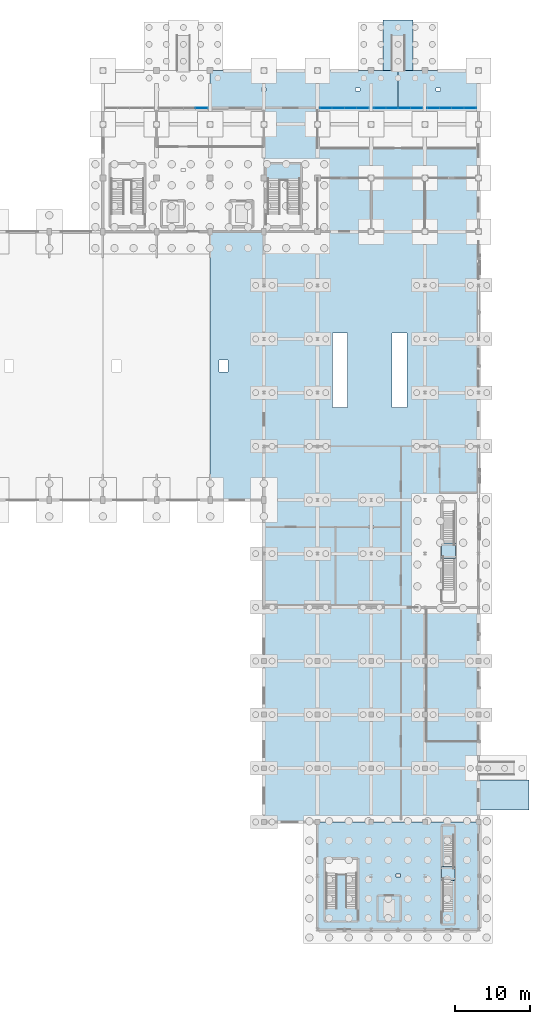
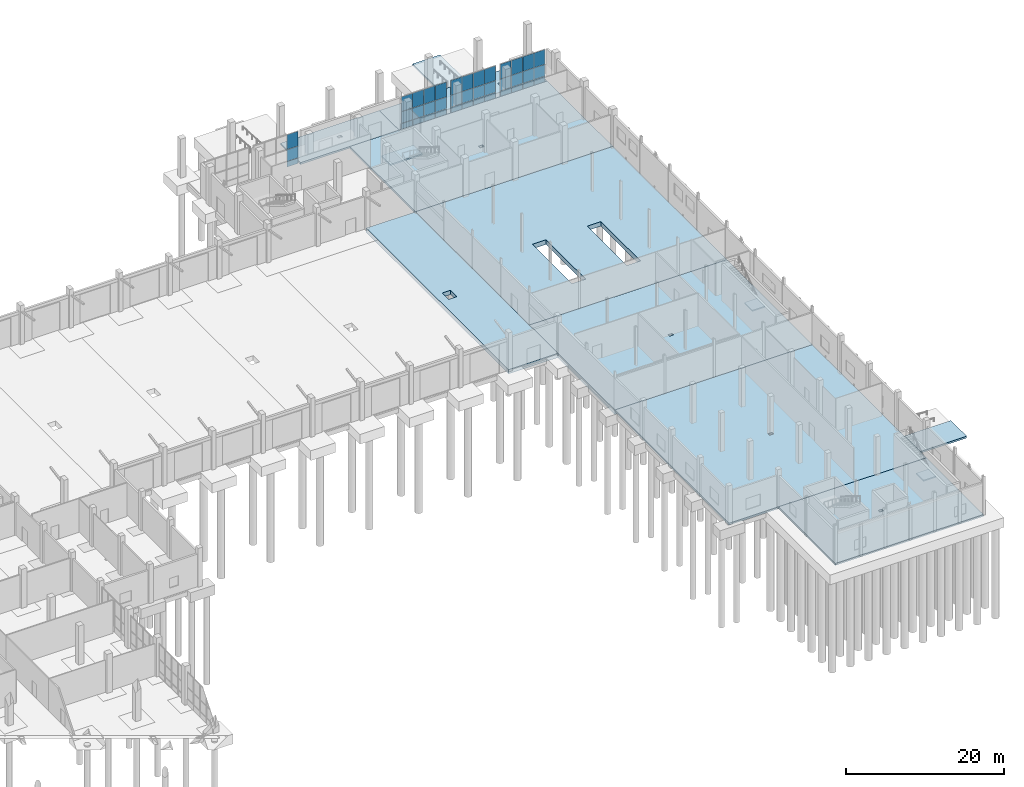
# One storey, part 25 of 45: 39 plates, 14 slabs, 7 elements without a shape of their own.
"""IFC4 building model written with IfcOpenShell, lengths in metres."""

import ifcopenshell
import ifcopenshell.guid

model = None  # the IFC model being written
_history = None  # IfcOwnerHistory: only IFC2X3 demands one
_inside = {}  # id of a spatial element -> (the spatial element, [elements in it])
_under = {}  # id of a project, library or spatial element -> (it, [spatial elements below it])
_declared = {}  # id of a project -> (the project, [libraries it declares])
_typed = {}  # id of a type object -> (the type object, [elements of that type])
_made_of = {}  # id of a material, layer set ... -> (it, [elements and type objects made of it])


def new_model(schema):
    """Start an empty IFC model of exactly this schema.

    Asked for "IFC4X3", IfcOpenShell would pick the latest addendum, in which some entities
    have other attributes; the version numbers below select the first issue.
    IFC2X3 requires an IfcOwnerHistory on every rooted entity: one is made here for all.
    """
    global model, _history
    if schema == "IFC4X3":
        model = ifcopenshell.file(schema_version=(4, 3, 0, 0))
    else:
        model = ifcopenshell.file(schema=schema)
    _inside.clear()
    _under.clear()
    _declared.clear()
    _typed.clear()
    _made_of.clear()
    _history = None
    if model.schema == "IFC2X3":
        org = make("IfcOrganization", Name="unknown")
        user = make(
            "IfcPersonAndOrganization",
            ThePerson=make("IfcPerson", FamilyName="unknown"),
            TheOrganization=org,
        )
        app = make(
            "IfcApplication",
            ApplicationDeveloper=org,
            Version="unknown",
            ApplicationFullName="unknown",
            ApplicationIdentifier="unknown",
        )
        _history = make(
            "IfcOwnerHistory",
            OwningUser=user,
            OwningApplication=app,
            ChangeAction="ADDED",
            CreationDate=0,
        )
    return model


def make(cls, **values):
    """One entity of the class cls with the attributes given. An attribute that is None is left unset."""
    return model.create_entity(
        cls, **{name: value for name, value in values.items() if value is not None}
    )


def rooted(cls, **values):
    """An entity with a GlobalId (a new one), such as an element, a storey or a relation."""
    return make(cls, GlobalId=ifcopenshell.guid.new(), OwnerHistory=_history, **values)


def si_unit(unit_type, name, prefix=None):
    """IfcSIUnit, for example si_unit("LENGTHUNIT", "METRE", prefix="MILLI")."""
    return make("IfcSIUnit", UnitType=unit_type, Prefix=prefix, Name=name)


def assignment(units):
    """IfcUnitAssignment: the units of a project."""
    return None if units is None else make("IfcUnitAssignment", Units=units)


def point(xyz):
    """IfcCartesianPoint."""
    return None if xyz is None else make("IfcCartesianPoint", Coordinates=xyz)


def direction(xyz):
    """IfcDirection."""
    return None if xyz is None else make("IfcDirection", DirectionRatios=xyz)


def frame(location, z_axis=None, x_axis=None):
    """IfcAxis2Placement3D, a coordinate frame: its origin and axes. An axis left out is left unset."""
    return make(
        "IfcAxis2Placement3D",
        Location=point(location),
        Axis=direction(z_axis),
        RefDirection=direction(x_axis),
    )


def frame_2d(location, x_axis=None):
    """IfcAxis2Placement2D, a coordinate frame in the plane: its origin and x axis."""
    return make(
        "IfcAxis2Placement2D", Location=point(location), RefDirection=direction(x_axis)
    )


def origin():
    """The frame at (0, 0, 0) with its axes left unset."""
    return frame((0.0, 0.0, 0.0))


def origin_2d():
    """The frame at (0, 0) in the plane with its x axis left unset."""
    return frame_2d((0.0, 0.0))


def place(relative_to, where):
    """IfcLocalPlacement: puts the frame where relative to a parent placement (None: the world)."""
    return make(
        "IfcLocalPlacement", PlacementRelTo=relative_to, RelativePlacement=where
    )


def context(
    kind, dimensions, precision=None, world=None, true_north=None, identifier=None
):
    """IfcGeometricRepresentationContext, for example the 3D "Model" context."""
    return make(
        "IfcGeometricRepresentationContext",
        ContextIdentifier=identifier,
        ContextType=kind,
        CoordinateSpaceDimension=dimensions,
        Precision=precision,
        WorldCoordinateSystem=world,
        TrueNorth=true_north,
    )


def subcontext(parent, identifier, kind, view, scale=None):
    """IfcGeometricRepresentationSubContext, for example "Body" below "Model"."""
    return make(
        "IfcGeometricRepresentationSubContext",
        ContextIdentifier=identifier,
        ContextType=kind,
        ParentContext=parent,
        TargetScale=scale,
        TargetView=view,
    )


def project(units=None, contexts=None):
    """IfcProject with its units and contexts."""
    return rooted(
        "IfcProject",
        Name="project",
        RepresentationContexts=contexts,
        UnitsInContext=assignment(units),
    )


def spatial(cls, under=None, at=None, **own):
    """A site, building, storey or space (cls), placed at a placement, below another one or the project."""
    s = rooted(cls, ObjectPlacement=at, **own)
    if under is not None:
        _under.setdefault(under.id(), (under, []))[1].append(s)
    return s


def polyline(points):
    """IfcPolyline through the points."""
    return make("IfcPolyline", Points=[point(p) for p in points])


def profile(cls, at=None, kind="AREA", **sizes):
    """A parametric profile (cls). Its sizes go by their IFC names, for example OverallWidth=200.0."""
    return make(cls, ProfileType=kind, Position=at, **sizes)


def rectangle(**sizes):
    """IfcRectangleProfileDef."""
    return profile("IfcRectangleProfileDef", **sizes)


def outline(outer, holes=None, kind="AREA"):
    """IfcArbitraryClosedProfileDef: a profile drawn as a closed curve; with holes, ...WithVoids."""
    if holes is None:
        return make("IfcArbitraryClosedProfileDef", ProfileType=kind, OuterCurve=outer)
    return make(
        "IfcArbitraryProfileDefWithVoids",
        ProfileType=kind,
        OuterCurve=outer,
        InnerCurves=holes,
    )


def extrude(swept, where, along, depth):
    """IfcExtrudedAreaSolid: the profile swept, set in the frame where, extruded along a direction by depth."""
    return make(
        "IfcExtrudedAreaSolid",
        SweptArea=swept,
        Position=where,
        ExtrudedDirection=direction(along),
        Depth=depth,
    )


def shape(context_of_items, identifier, shape_type, items):
    """IfcShapeRepresentation: the items that make up one representation, for example the "Body"."""
    return make(
        "IfcShapeRepresentation",
        ContextOfItems=context_of_items,
        RepresentationIdentifier=identifier,
        RepresentationType=shape_type,
        Items=items,
    )


def material(Name=None, Category=None):
    """IfcMaterial."""
    return make("IfcMaterial", Name=Name, Category=Category)


def layer(
    of_material, thickness, ventilated=None, Name=None, Category=None, Priority=None
):
    """IfcMaterialLayer: one layer of a wall or slab, of a material (None: an air gap)."""
    return make(
        "IfcMaterialLayer",
        Material=of_material,
        LayerThickness=thickness,
        IsVentilated=ventilated,
        Name=Name,
        Category=Category,
        Priority=Priority,
    )


def layer_set(layers, Name=None):
    """IfcMaterialLayerSet."""
    return make("IfcMaterialLayerSet", MaterialLayers=layers, LayerSetName=Name)


def made_of(thing, what):
    """Note that an element or type object is made of a material, layer set ...; save() writes the relation."""
    if what is not None:
        _made_of.setdefault(what.id(), (what, []))[1].append(thing)
    return thing


def type_object(cls, material=None, **own):
    """A type object (cls), such as IfcWallType, which elements share."""
    return made_of(rooted(cls, **own), material)


def element(
    cls,
    number,
    at=None,
    inside=None,
    cuts=None,
    type_object=None,
    material=None,
    context=None,
    identifier="Body",
    shape_type=None,
    held_by="IfcProductDefinitionShape",
    body=None,
    shapes=None,
    **own,
):
    """One element of the class cls, such as IfcWall. Its Tag is "e" and its number.

    at: its placement. inside: the storey or other place that contains it. cuts: it is an
    opening in that element (IfcRelVoidsElement). A single representation is given by context,
    identifier, shape_type and body (its items); several are given by shapes. held_by: the class
    of the entity that holds the representations. save() writes the other relations.
    """
    e = rooted(cls, Tag="e%d" % number, ObjectPlacement=at, **own)
    if body is not None:
        shapes = [shape(context, identifier, shape_type, body)]
    if shapes is not None:
        e.Representation = make(held_by, Representations=shapes)
    if inside is not None:
        _inside.setdefault(inside.id(), (inside, []))[1].append(e)
    if cuts is not None:
        rooted(
            "IfcRelVoidsElement", RelatingBuildingElement=cuts, RelatedOpeningElement=e
        )
    if type_object is not None:
        _typed.setdefault(type_object.id(), (type_object, []))[1].append(e)
    return made_of(e, material)


def aggregate(whole, parts):
    """IfcRelAggregates: a whole, such as a stair, and the parts it consists of."""
    return rooted("IfcRelAggregates", RelatingObject=whole, RelatedObjects=parts)


def save(model, path):
    """Write the relations noted so far, then the file.

    IfcRelAggregates (storeys below a building ...), IfcRelContainedInSpatialStructure (elements
    in a storey), IfcRelDefinesByType, IfcRelAssociatesMaterial and IfcRelDeclares: one each for
    every whole, place, type object, material and project.
    """
    for whole, parts in _under.values():
        aggregate(whole, parts)
    for where, things in _inside.values():
        rooted(
            "IfcRelContainedInSpatialStructure",
            RelatedElements=things,
            RelatingStructure=where,
        )
    for kind, things in _typed.values():
        rooted("IfcRelDefinesByType", RelatedObjects=things, RelatingType=kind)
    for what, things in _made_of.values():
        rooted("IfcRelAssociatesMaterial", RelatedObjects=things, RelatingMaterial=what)
    for by, libraries in _declared.values():
        rooted("IfcRelDeclares", RelatingContext=by, RelatedDefinitions=libraries)
    model.write(path)


model = new_model("IFC4")

# Units and contexts
model_context = context("Model", 3, precision=1e-05, world=origin(), true_north=direction((0.0, 1.0)))
body_context = subcontext(model_context, "Body", "Model", "MODEL_VIEW")
ifc_project = project(units=[si_unit("LENGTHUNIT", "METRE"), si_unit("AREAUNIT", "SQUARE_METRE"), si_unit("VOLUMEUNIT", "CUBIC_METRE"), si_unit("PLANEANGLEUNIT", "RADIAN"), si_unit("MASSUNIT", "GRAM", prefix="KILO")], contexts=[model_context])

# Site, building, storey
site_placement = place(None, origin())
site = spatial("IfcSite", under=ifc_project, at=site_placement, CompositionType="ELEMENT")
building_placement = place(site_placement, origin())
building = spatial("IfcBuilding", under=site, at=building_placement, Name="Yarey Park Central Fire Station", CompositionType="ELEMENT")
storey_placement = place(building_placement, origin())
storey = spatial("IfcBuildingStorey", under=building, at=storey_placement, Name="L01", CompositionType="ELEMENT", Elevation=0.0)

# Curtain wall, plate
ifc_material_1 = material(Name="Anodized Aluminium Frame", Category="aluminium")
curtain_wall_type = type_object("IfcCurtainWallType", Name="ENV_CW_HQ_L01", PredefinedType="NOTDEFINED", material=ifc_material_1)
curtain_wall_1_placement = place(storey_placement, origin())
curtain_wall_1 = element("IfcCurtainWall", 1, at=curtain_wall_1_placement, inside=storey, type_object=curtain_wall_type, Name="CW_L01_V4_N_2", PredefinedType="NOTDEFINED")
ifc_material_2 = material(Name="Insulated Aluminium Spandrel Panel", Category="aluminium")
ifc_layer_1 = layer(ifc_material_2, 0.055908203125)
ifc_layer_set_1 = layer_set([ifc_layer_1], Name="Insulated Aluminium Spandrel Panel")
plate_type_1 = type_object("IfcPlateType", Name="ENV_PNL_SPN_01", PredefinedType="CURTAIN_PANEL", material=ifc_layer_set_1)
plate_1_placement = place(storey_placement, frame((128.467529296875, 110.199951171875, 0.04248046875), z_axis=(0.0, 0.0, 1.0), x_axis=(-1.0, 0.0, 0.0)))
plate_1 = element("IfcPlate", 2, at=plate_1_placement, type_object=plate_type_1, Name="CW_L01_V4_N_2_PNL01", PredefinedType="CURTAIN_PANEL", context=body_context, shape_type="SweptSolid", body=[
    extrude(rectangle(XDim=1.60498046875, YDim=0.055908203125, at=origin_2d()), origin(), (0.0, 0.0, 1.0), 0.840087890625),
])

# Curtain wall, plates
curtain_wall_2_placement = place(storey_placement, origin())
curtain_wall_2 = element("IfcCurtainWall", 3, at=curtain_wall_2_placement, inside=storey, type_object=curtain_wall_type, Name="CW_L01_V4_N_5", PredefinedType="NOTDEFINED")
ifc_layer_2 = layer(ifc_material_2, 0.068115234375)
ifc_layer_set_2 = layer_set([ifc_layer_2], Name="Insulated Aluminium Spandrel Panel")
plate_type_2 = type_object("IfcPlateType", Name="ENV_PNL_SPN_02", PredefinedType="CURTAIN_PANEL", material=ifc_layer_set_2)
plate_2_placement = place(storey_placement, frame((150.0673828125, 110.199951171875, 0.04248046875), z_axis=(0.0, 0.0, 1.0), x_axis=(-1.0, 0.0, 0.0)))
plate_2 = element("IfcPlate", 4, at=plate_2_placement, type_object=plate_type_2, Name="CW_L01_V4_N_5_PNL01", PredefinedType="CURTAIN_PANEL", context=body_context, shape_type="SweptSolid", body=[
    extrude(rectangle(XDim=1.60498046875, YDim=0.068115234375, at=origin_2d()), origin(), (0.0, 0.0, 1.0), 0.840087890625),
])
plate_3_placement = place(storey_placement, frame((148.422607421875, 110.199951171875, 0.04248046875), z_axis=(0.0, 0.0, 1.0), x_axis=(-1.0, 0.0, 0.0)))
plate_3 = element("IfcPlate", 5, at=plate_3_placement, type_object=plate_type_2, Name="CW_L01_V4_N_5_PNL04", PredefinedType="CURTAIN_PANEL", context=body_context, shape_type="SweptSolid", body=[
    extrude(rectangle(XDim=1.60498046875, YDim=0.068115234375, at=origin_2d()), origin(), (0.0, 0.0, 1.0), 0.840087890625),
])
plate_4_placement = place(storey_placement, frame((146.777587890625, 110.199951171875, 0.04248046875), z_axis=(0.0, 0.0, 1.0), x_axis=(-1.0, 0.0, 0.0)))
plate_4 = element("IfcPlate", 6, at=plate_4_placement, type_object=plate_type_2, Name="CW_L01_V4_N_5_PNL07", PredefinedType="CURTAIN_PANEL", context=body_context, shape_type="SweptSolid", body=[
    extrude(rectangle(XDim=1.60498046875, YDim=0.068115234375, at=origin_2d()), origin(), (0.0, 0.0, 1.0), 0.840087890625),
])
plate_5_placement = place(storey_placement, frame((145.132568359375, 110.199951171875, 0.04248046875), z_axis=(0.0, 0.0, 1.0), x_axis=(-1.0, 0.0, 0.0)))
plate_5 = element("IfcPlate", 7, at=plate_5_placement, type_object=plate_type_2, Name="CW_L01_V4_N_5_PNL10", PredefinedType="CURTAIN_PANEL", context=body_context, shape_type="SweptSolid", body=[
    extrude(rectangle(XDim=1.60498046875, YDim=0.068115234375, at=origin_2d()), origin(), (0.0, 0.0, 1.0), 0.840087890625),
])

curtain_wall_3_placement = place(storey_placement, origin())
curtain_wall_3 = element("IfcCurtainWall", 8, at=curtain_wall_3_placement, inside=storey, type_object=curtain_wall_type, Name="CW_L01_V4_N_6", PredefinedType="NOTDEFINED")
ifc_layer_3 = layer(ifc_material_2, 0.077880859375)
ifc_layer_set_3 = layer_set([ifc_layer_3], Name="Insulated Aluminium Spandrel Panel")
plate_type_3 = type_object("IfcPlateType", Name="ENV_PNL_SPN_03", PredefinedType="CURTAIN_PANEL", material=ifc_layer_set_3)
plate_6_placement = place(storey_placement, frame((157.267578125, 110.199951171875, 0.04248046875), z_axis=(0.0, 0.0, 1.0), x_axis=(-1.0, 0.0, 0.0)))
plate_6 = element("IfcPlate", 9, at=plate_6_placement, type_object=plate_type_3, Name="CW_L01_V4_N_6_PNL01", PredefinedType="CURTAIN_PANEL", context=body_context, shape_type="SweptSolid", body=[
    extrude(rectangle(XDim=1.60498046875, YDim=0.077880859375, at=origin_2d()), origin(), (0.0, 0.0, 1.0), 0.840087890625),
])
plate_7_placement = place(storey_placement, frame((155.62255859375, 110.199951171875, 0.04248046875), z_axis=(0.0, 0.0, 1.0), x_axis=(-1.0, 0.0, 0.0)))
plate_7 = element("IfcPlate", 10, at=plate_7_placement, type_object=plate_type_3, Name="CW_L01_V4_N_6_PNL04", PredefinedType="CURTAIN_PANEL", context=body_context, shape_type="SweptSolid", body=[
    extrude(rectangle(XDim=1.60498046875, YDim=0.077880859375, at=origin_2d()), origin(), (0.0, 0.0, 1.0), 0.840087890625),
])
plate_8_placement = place(storey_placement, frame((153.9775390625, 110.199951171875, 0.04248046875), z_axis=(0.0, 0.0, 1.0), x_axis=(-1.0, 0.0, 0.0)))
plate_8 = element("IfcPlate", 11, at=plate_8_placement, type_object=plate_type_3, Name="CW_L01_V4_N_6_PNL07", PredefinedType="CURTAIN_PANEL", context=body_context, shape_type="SweptSolid", body=[
    extrude(rectangle(XDim=1.60498046875, YDim=0.077880859375, at=origin_2d()), origin(), (0.0, 0.0, 1.0), 0.840087890625),
])
plate_9_placement = place(storey_placement, frame((152.33251953125, 110.199951171875, 0.04248046875), z_axis=(0.0, 0.0, 1.0), x_axis=(-1.0, 0.0, 0.0)))
plate_9 = element("IfcPlate", 12, at=plate_9_placement, type_object=plate_type_3, Name="CW_L01_V4_N_6_PNL10", PredefinedType="CURTAIN_PANEL", context=body_context, shape_type="SweptSolid", body=[
    extrude(rectangle(XDim=1.60498046875, YDim=0.077880859375, at=origin_2d()), origin(), (0.0, 0.0, 1.0), 0.840087890625),
])

curtain_wall_4_placement = place(storey_placement, origin())
curtain_wall_4 = element("IfcCurtainWall", 13, at=curtain_wall_4_placement, inside=storey, type_object=curtain_wall_type, Name="CW_L01_V4_N_7", PredefinedType="NOTDEFINED")
ifc_layer_4 = layer(ifc_material_2, 0.087890625)
ifc_layer_set_4 = layer_set([ifc_layer_4], Name="Insulated Aluminium Spandrel Panel")
plate_type_4 = type_object("IfcPlateType", Name="ENV_PNL_SPN_04", PredefinedType="CURTAIN_PANEL", material=ifc_layer_set_4)
plate_10_placement = place(storey_placement, frame((164.467529296875, 110.199951171875, 0.04248046875), z_axis=(0.0, 0.0, 1.0), x_axis=(-1.0, 0.0, 0.0)))
plate_10 = element("IfcPlate", 14, at=plate_10_placement, type_object=plate_type_4, Name="CW_L01_V4_N_7_PNL01", PredefinedType="CURTAIN_PANEL", context=body_context, shape_type="SweptSolid", body=[
    extrude(rectangle(XDim=1.60498046875, YDim=0.087890625, at=origin_2d()), origin(), (0.0, 0.0, 1.0), 0.840087890625),
])
plate_11_placement = place(storey_placement, frame((162.822509765625, 110.199951171875, 0.04248046875), z_axis=(0.0, 0.0, 1.0), x_axis=(-1.0, 0.0, 0.0)))
plate_11 = element("IfcPlate", 15, at=plate_11_placement, type_object=plate_type_4, Name="CW_L01_V4_N_7_PNL04", PredefinedType="CURTAIN_PANEL", context=body_context, shape_type="SweptSolid", body=[
    extrude(rectangle(XDim=1.60498046875, YDim=0.087890625, at=origin_2d()), origin(), (0.0, 0.0, 1.0), 0.840087890625),
])
plate_12_placement = place(storey_placement, frame((161.177490234375, 110.199951171875, 0.04248046875), z_axis=(0.0, 0.0, 1.0), x_axis=(-1.0, 0.0, 0.0)))
plate_12 = element("IfcPlate", 16, at=plate_12_placement, type_object=plate_type_4, Name="CW_L01_V4_N_7_PNL07", PredefinedType="CURTAIN_PANEL", context=body_context, shape_type="SweptSolid", body=[
    extrude(rectangle(XDim=1.60498046875, YDim=0.087890625, at=origin_2d()), origin(), (0.0, 0.0, 1.0), 0.840087890625),
])
plate_13_placement = place(storey_placement, frame((159.532470703125, 110.199951171875, 0.04248046875), z_axis=(0.0, 0.0, 1.0), x_axis=(-1.0, 0.0, 0.0)))
plate_13 = element("IfcPlate", 17, at=plate_13_placement, type_object=plate_type_4, Name="CW_L01_V4_N_7_PNL10", PredefinedType="CURTAIN_PANEL", context=body_context, shape_type="SweptSolid", body=[
    extrude(rectangle(XDim=1.60498046875, YDim=0.087890625, at=origin_2d()), origin(), (0.0, 0.0, 1.0), 0.840087890625),
])

# Plate
ifc_material_3 = material(Name="Laminated Hurricane Low-E Glass", Category="glass")
ifc_layer_5 = layer(ifc_material_3, 0.02392578125)
ifc_layer_set_5 = layer_set([ifc_layer_5], Name="Laminated Hurricane Low-E Glass")
plate_type_5 = type_object("IfcPlateType", Name="ENV_PNL_VIS_01", PredefinedType="CURTAIN_PANEL", material=ifc_layer_set_5)
plate_14_placement = place(storey_placement, frame((128.467529296875, 110.199951171875, 0.91748046875), z_axis=(0.0, 0.0, 1.0), x_axis=(-1.0, 0.0, 0.0)))
plate_14 = element("IfcPlate", 18, at=plate_14_placement, type_object=plate_type_5, Name="CW_L01_V4_N_2_PNL02", PredefinedType="CURTAIN_PANEL", context=body_context, shape_type="SweptSolid", body=[
    extrude(rectangle(XDim=1.60498046875, YDim=0.02392578125, at=origin_2d()), origin(), (0.0, 0.0, 1.0), 1.7919921875),
])

plate_15_placement = place(storey_placement, frame((128.467529296875, 110.199951171875, 2.74462890625), z_axis=(0.0, 0.0, 1.0), x_axis=(-1.0, 0.0, 0.0)))
plate_15 = element("IfcPlate", 19, at=plate_15_placement, type_object=plate_type_5, Name="CW_L01_V4_N_2_PNL03", PredefinedType="CURTAIN_PANEL", context=body_context, shape_type="SweptSolid", body=[
    extrude(rectangle(XDim=1.60498046875, YDim=0.02392578125, at=origin_2d()), origin(), (0.0, 0.0, 1.0), 2.262939453125),
])

aggregate(curtain_wall_1, [plate_1, plate_14, plate_15])

ifc_layer_6 = layer(ifc_material_3, 0.031982421875)
ifc_layer_set_6 = layer_set([ifc_layer_6], Name="Laminated Hurricane Low-E Glass")
plate_type_6 = type_object("IfcPlateType", Name="ENV_PNL_VIS_02", PredefinedType="CURTAIN_PANEL", material=ifc_layer_set_6)
plate_16_placement = place(storey_placement, frame((150.0673828125, 110.199951171875, 0.91748046875), z_axis=(0.0, 0.0, 1.0), x_axis=(-1.0, 0.0, 0.0)))
plate_16 = element("IfcPlate", 20, at=plate_16_placement, type_object=plate_type_6, Name="CW_L01_V4_N_5_PNL02", PredefinedType="CURTAIN_PANEL", context=body_context, shape_type="SweptSolid", body=[
    extrude(rectangle(XDim=1.60498046875, YDim=0.031982421875, at=origin_2d()), origin(), (0.0, 0.0, 1.0), 1.7919921875),
])

plate_17_placement = place(storey_placement, frame((150.0673828125, 110.199951171875, 2.74462890625), z_axis=(0.0, 0.0, 1.0), x_axis=(-1.0, 0.0, 0.0)))
plate_17 = element("IfcPlate", 21, at=plate_17_placement, type_object=plate_type_6, Name="CW_L01_V4_N_5_PNL03", PredefinedType="CURTAIN_PANEL", context=body_context, shape_type="SweptSolid", body=[
    extrude(rectangle(XDim=1.60498046875, YDim=0.031982421875, at=origin_2d()), origin(), (0.0, 0.0, 1.0), 2.262939453125),
])

plate_18_placement = place(storey_placement, frame((148.422607421875, 110.199951171875, 0.91748046875), z_axis=(0.0, 0.0, 1.0), x_axis=(-1.0, 0.0, 0.0)))
plate_18 = element("IfcPlate", 22, at=plate_18_placement, type_object=plate_type_6, Name="CW_L01_V4_N_5_PNL05", PredefinedType="CURTAIN_PANEL", context=body_context, shape_type="SweptSolid", body=[
    extrude(rectangle(XDim=1.60498046875, YDim=0.031982421875, at=origin_2d()), origin(), (0.0, 0.0, 1.0), 1.7919921875),
])

plate_19_placement = place(storey_placement, frame((148.422607421875, 110.199951171875, 2.74462890625), z_axis=(0.0, 0.0, 1.0), x_axis=(-1.0, 0.0, 0.0)))
plate_19 = element("IfcPlate", 23, at=plate_19_placement, type_object=plate_type_6, Name="CW_L01_V4_N_5_PNL06", PredefinedType="CURTAIN_PANEL", context=body_context, shape_type="SweptSolid", body=[
    extrude(rectangle(XDim=1.60498046875, YDim=0.031982421875, at=origin_2d()), origin(), (0.0, 0.0, 1.0), 2.262939453125),
])

plate_20_placement = place(storey_placement, frame((146.777587890625, 110.199951171875, 0.91748046875), z_axis=(0.0, 0.0, 1.0), x_axis=(-1.0, 0.0, 0.0)))
plate_20 = element("IfcPlate", 24, at=plate_20_placement, type_object=plate_type_6, Name="CW_L01_V4_N_5_PNL08", PredefinedType="CURTAIN_PANEL", context=body_context, shape_type="SweptSolid", body=[
    extrude(rectangle(XDim=1.60498046875, YDim=0.031982421875, at=origin_2d()), origin(), (0.0, 0.0, 1.0), 1.7919921875),
])

plate_21_placement = place(storey_placement, frame((146.777587890625, 110.199951171875, 2.74462890625), z_axis=(0.0, 0.0, 1.0), x_axis=(-1.0, 0.0, 0.0)))
plate_21 = element("IfcPlate", 25, at=plate_21_placement, type_object=plate_type_6, Name="CW_L01_V4_N_5_PNL09", PredefinedType="CURTAIN_PANEL", context=body_context, shape_type="SweptSolid", body=[
    extrude(rectangle(XDim=1.60498046875, YDim=0.031982421875, at=origin_2d()), origin(), (0.0, 0.0, 1.0), 2.262939453125),
])

plate_22_placement = place(storey_placement, frame((145.132568359375, 110.199951171875, 0.91748046875), z_axis=(0.0, 0.0, 1.0), x_axis=(-1.0, 0.0, 0.0)))
plate_22 = element("IfcPlate", 26, at=plate_22_placement, type_object=plate_type_6, Name="CW_L01_V4_N_5_PNL11", PredefinedType="CURTAIN_PANEL", context=body_context, shape_type="SweptSolid", body=[
    extrude(rectangle(XDim=1.60498046875, YDim=0.031982421875, at=origin_2d()), origin(), (0.0, 0.0, 1.0), 1.7919921875),
])

plate_23_placement = place(storey_placement, frame((145.132568359375, 110.199951171875, 2.74462890625), z_axis=(0.0, 0.0, 1.0), x_axis=(-1.0, 0.0, 0.0)))
plate_23 = element("IfcPlate", 27, at=plate_23_placement, type_object=plate_type_6, Name="CW_L01_V4_N_5_PNL12", PredefinedType="CURTAIN_PANEL", context=body_context, shape_type="SweptSolid", body=[
    extrude(rectangle(XDim=1.60498046875, YDim=0.031982421875, at=origin_2d()), origin(), (0.0, 0.0, 1.0), 2.262939453125),
])

aggregate(curtain_wall_2, [plate_2, plate_16, plate_17, plate_3, plate_18, plate_19, plate_4, plate_20, plate_21, plate_5, plate_22, plate_23])

ifc_layer_7 = layer(ifc_material_3, 0.0380859375)
ifc_layer_set_7 = layer_set([ifc_layer_7], Name="Laminated Hurricane Low-E Glass")
plate_type_7 = type_object("IfcPlateType", Name="ENV_PNL_VIS_03", PredefinedType="CURTAIN_PANEL", material=ifc_layer_set_7)
plate_24_placement = place(storey_placement, frame((157.267578125, 110.199951171875, 0.91748046875), z_axis=(0.0, 0.0, 1.0), x_axis=(-1.0, 0.0, 0.0)))
plate_24 = element("IfcPlate", 28, at=plate_24_placement, type_object=plate_type_7, Name="CW_L01_V4_N_6_PNL02", PredefinedType="CURTAIN_PANEL", context=body_context, shape_type="SweptSolid", body=[
    extrude(rectangle(XDim=1.60498046875, YDim=0.0380859375, at=origin_2d()), origin(), (0.0, 0.0, 1.0), 1.7919921875),
])

plate_25_placement = place(storey_placement, frame((157.267578125, 110.199951171875, 2.74462890625), z_axis=(0.0, 0.0, 1.0), x_axis=(-1.0, 0.0, 0.0)))
plate_25 = element("IfcPlate", 29, at=plate_25_placement, type_object=plate_type_7, Name="CW_L01_V4_N_6_PNL03", PredefinedType="CURTAIN_PANEL", context=body_context, shape_type="SweptSolid", body=[
    extrude(rectangle(XDim=1.60498046875, YDim=0.0380859375, at=origin_2d()), origin(), (0.0, 0.0, 1.0), 2.262939453125),
])

plate_26_placement = place(storey_placement, frame((155.62255859375, 110.199951171875, 0.91748046875), z_axis=(0.0, 0.0, 1.0), x_axis=(-1.0, 0.0, 0.0)))
plate_26 = element("IfcPlate", 30, at=plate_26_placement, type_object=plate_type_7, Name="CW_L01_V4_N_6_PNL05", PredefinedType="CURTAIN_PANEL", context=body_context, shape_type="SweptSolid", body=[
    extrude(rectangle(XDim=1.60498046875, YDim=0.0380859375, at=origin_2d()), origin(), (0.0, 0.0, 1.0), 1.7919921875),
])

plate_27_placement = place(storey_placement, frame((155.62255859375, 110.199951171875, 2.74462890625), z_axis=(0.0, 0.0, 1.0), x_axis=(-1.0, 0.0, 0.0)))
plate_27 = element("IfcPlate", 31, at=plate_27_placement, type_object=plate_type_7, Name="CW_L01_V4_N_6_PNL06", PredefinedType="CURTAIN_PANEL", context=body_context, shape_type="SweptSolid", body=[
    extrude(rectangle(XDim=1.60498046875, YDim=0.0380859375, at=origin_2d()), origin(), (0.0, 0.0, 1.0), 2.262939453125),
])

plate_28_placement = place(storey_placement, frame((153.9775390625, 110.199951171875, 0.91748046875), z_axis=(0.0, 0.0, 1.0), x_axis=(-1.0, 0.0, 0.0)))
plate_28 = element("IfcPlate", 32, at=plate_28_placement, type_object=plate_type_7, Name="CW_L01_V4_N_6_PNL08", PredefinedType="CURTAIN_PANEL", context=body_context, shape_type="SweptSolid", body=[
    extrude(rectangle(XDim=1.60498046875, YDim=0.0380859375, at=origin_2d()), origin(), (0.0, 0.0, 1.0), 1.7919921875),
])

plate_29_placement = place(storey_placement, frame((153.9775390625, 110.199951171875, 2.74462890625), z_axis=(0.0, 0.0, 1.0), x_axis=(-1.0, 0.0, 0.0)))
plate_29 = element("IfcPlate", 33, at=plate_29_placement, type_object=plate_type_7, Name="CW_L01_V4_N_6_PNL09", PredefinedType="CURTAIN_PANEL", context=body_context, shape_type="SweptSolid", body=[
    extrude(rectangle(XDim=1.60498046875, YDim=0.0380859375, at=origin_2d()), origin(), (0.0, 0.0, 1.0), 2.262939453125),
])

plate_30_placement = place(storey_placement, frame((152.33251953125, 110.199951171875, 0.91748046875), z_axis=(0.0, 0.0, 1.0), x_axis=(-1.0, 0.0, 0.0)))
plate_30 = element("IfcPlate", 34, at=plate_30_placement, type_object=plate_type_7, Name="CW_L01_V4_N_6_PNL11", PredefinedType="CURTAIN_PANEL", context=body_context, shape_type="SweptSolid", body=[
    extrude(rectangle(XDim=1.60498046875, YDim=0.0380859375, at=origin_2d()), origin(), (0.0, 0.0, 1.0), 1.7919921875),
])

plate_31_placement = place(storey_placement, frame((152.33251953125, 110.199951171875, 2.74462890625), z_axis=(0.0, 0.0, 1.0), x_axis=(-1.0, 0.0, 0.0)))
plate_31 = element("IfcPlate", 35, at=plate_31_placement, type_object=plate_type_7, Name="CW_L01_V4_N_6_PNL12", PredefinedType="CURTAIN_PANEL", context=body_context, shape_type="SweptSolid", body=[
    extrude(rectangle(XDim=1.60498046875, YDim=0.0380859375, at=origin_2d()), origin(), (0.0, 0.0, 1.0), 2.262939453125),
])

aggregate(curtain_wall_3, [plate_6, plate_24, plate_25, plate_7, plate_26, plate_27, plate_8, plate_28, plate_29, plate_9, plate_30, plate_31])

ifc_layer_8 = layer(ifc_material_3, 0.0458984375)
ifc_layer_set_8 = layer_set([ifc_layer_8], Name="Laminated Hurricane Low-E Glass")
plate_type_8 = type_object("IfcPlateType", Name="ENV_PNL_VIS_04", PredefinedType="CURTAIN_PANEL", material=ifc_layer_set_8)
plate_32_placement = place(storey_placement, frame((164.467529296875, 110.199951171875, 0.91748046875), z_axis=(0.0, 0.0, 1.0), x_axis=(-1.0, 0.0, 0.0)))
plate_32 = element("IfcPlate", 36, at=plate_32_placement, type_object=plate_type_8, Name="CW_L01_V4_N_7_PNL02", PredefinedType="CURTAIN_PANEL", context=body_context, shape_type="SweptSolid", body=[
    extrude(rectangle(XDim=1.60498046875, YDim=0.0458984375, at=origin_2d()), origin(), (0.0, 0.0, 1.0), 1.7919921875),
])

plate_33_placement = place(storey_placement, frame((164.467529296875, 110.199951171875, 2.74462890625), z_axis=(0.0, 0.0, 1.0), x_axis=(-1.0, 0.0, 0.0)))
plate_33 = element("IfcPlate", 37, at=plate_33_placement, type_object=plate_type_8, Name="CW_L01_V4_N_7_PNL03", PredefinedType="CURTAIN_PANEL", context=body_context, shape_type="SweptSolid", body=[
    extrude(rectangle(XDim=1.60498046875, YDim=0.0458984375, at=origin_2d()), origin(), (0.0, 0.0, 1.0), 2.262939453125),
])

plate_34_placement = place(storey_placement, frame((162.822509765625, 110.199951171875, 0.91748046875), z_axis=(0.0, 0.0, 1.0), x_axis=(-1.0, 0.0, 0.0)))
plate_34 = element("IfcPlate", 38, at=plate_34_placement, type_object=plate_type_8, Name="CW_L01_V4_N_7_PNL05", PredefinedType="CURTAIN_PANEL", context=body_context, shape_type="SweptSolid", body=[
    extrude(rectangle(XDim=1.60498046875, YDim=0.0458984375, at=origin_2d()), origin(), (0.0, 0.0, 1.0), 1.7919921875),
])

plate_35_placement = place(storey_placement, frame((162.822509765625, 110.199951171875, 2.74462890625), z_axis=(0.0, 0.0, 1.0), x_axis=(-1.0, 0.0, 0.0)))
plate_35 = element("IfcPlate", 39, at=plate_35_placement, type_object=plate_type_8, Name="CW_L01_V4_N_7_PNL06", PredefinedType="CURTAIN_PANEL", context=body_context, shape_type="SweptSolid", body=[
    extrude(rectangle(XDim=1.60498046875, YDim=0.0458984375, at=origin_2d()), origin(), (0.0, 0.0, 1.0), 2.262939453125),
])

plate_36_placement = place(storey_placement, frame((161.177490234375, 110.199951171875, 0.91748046875), z_axis=(0.0, 0.0, 1.0), x_axis=(-1.0, 0.0, 0.0)))
plate_36 = element("IfcPlate", 40, at=plate_36_placement, type_object=plate_type_8, Name="CW_L01_V4_N_7_PNL08", PredefinedType="CURTAIN_PANEL", context=body_context, shape_type="SweptSolid", body=[
    extrude(rectangle(XDim=1.60498046875, YDim=0.0458984375, at=origin_2d()), origin(), (0.0, 0.0, 1.0), 1.7919921875),
])

plate_37_placement = place(storey_placement, frame((161.177490234375, 110.199951171875, 2.74462890625), z_axis=(0.0, 0.0, 1.0), x_axis=(-1.0, 0.0, 0.0)))
plate_37 = element("IfcPlate", 41, at=plate_37_placement, type_object=plate_type_8, Name="CW_L01_V4_N_7_PNL09", PredefinedType="CURTAIN_PANEL", context=body_context, shape_type="SweptSolid", body=[
    extrude(rectangle(XDim=1.60498046875, YDim=0.0458984375, at=origin_2d()), origin(), (0.0, 0.0, 1.0), 2.262939453125),
])

plate_38_placement = place(storey_placement, frame((159.532470703125, 110.199951171875, 0.91748046875), z_axis=(0.0, 0.0, 1.0), x_axis=(-1.0, 0.0, 0.0)))
plate_38 = element("IfcPlate", 42, at=plate_38_placement, type_object=plate_type_8, Name="CW_L01_V4_N_7_PNL11", PredefinedType="CURTAIN_PANEL", context=body_context, shape_type="SweptSolid", body=[
    extrude(rectangle(XDim=1.60498046875, YDim=0.0458984375, at=origin_2d()), origin(), (0.0, 0.0, 1.0), 1.7919921875),
])

plate_39_placement = place(storey_placement, frame((159.532470703125, 110.199951171875, 2.74462890625), z_axis=(0.0, 0.0, 1.0), x_axis=(-1.0, 0.0, 0.0)))
plate_39 = element("IfcPlate", 43, at=plate_39_placement, type_object=plate_type_8, Name="CW_L01_V4_N_7_PNL12", PredefinedType="CURTAIN_PANEL", context=body_context, shape_type="SweptSolid", body=[
    extrude(rectangle(XDim=1.60498046875, YDim=0.0458984375, at=origin_2d()), origin(), (0.0, 0.0, 1.0), 2.262939453125),
])

aggregate(curtain_wall_4, [plate_10, plate_32, plate_33, plate_11, plate_34, plate_35, plate_12, plate_36, plate_37, plate_13, plate_38, plate_39])

# Stair, slab
ifc_material_4 = material(Name="Concrete C40/50", Category="concrete")
stair_type_1 = type_object("IfcStairType", Name="INT_ST_1RUN_130_H60", PredefinedType="STRAIGHT_RUN_STAIR", material=ifc_material_4)
stair_1_placement = place(storey_placement, origin())
stair_1 = element("IfcStair", 44, at=stair_1_placement, inside=storey, type_object=stair_type_1, Name="Exit Stair ST-6 L01", PredefinedType="STRAIGHT_RUN_STAIR")
ifc_layer_9 = layer(ifc_material_4, 0.18505859375)
ifc_layer_set_9 = layer_set([ifc_layer_9], Name="Concrete C40/50")
slab_type_1 = type_object("IfcSlabType", Name="INT_SLAB_LND185", PredefinedType="LANDING", material=ifc_layer_set_9)
slab_1_placement = place(storey_placement, frame((0.0, 0.0, 2.81494140625)))
slab_1 = element("IfcSlab", 45, at=slab_1_placement, type_object=slab_type_1, Name="STAIR_C6_L01_LND", PredefinedType="LANDING", context=body_context, shape_type="SweptSolid", body=[
    extrude(outline(polyline([(160.64990234375, 6.580078125), (162.449951171875, 6.580078125), (162.449951171875, 8.419921875), (160.64990234375, 8.419921875), (160.64990234375, 6.580078125)])), origin(), (0.0, 0.0, 1.0), 0.18505859375),
])
aggregate(stair_1, [slab_1])

stair_type_2 = type_object("IfcStairType", Name="INT_ST_1RUN_135_H60", PredefinedType="STRAIGHT_RUN_STAIR", material=ifc_material_4)
stair_2_placement = place(storey_placement, origin())
stair_2 = element("IfcStair", 46, at=stair_2_placement, inside=storey, type_object=stair_type_2, Name="Exit Stair ST-7 L01", PredefinedType="STRAIGHT_RUN_STAIR")
slab_2_placement = place(storey_placement, frame((0.0, 0.0, 2.81494140625)))
slab_2 = element("IfcSlab", 47, at=slab_2_placement, type_object=slab_type_1, Name="STAIR_C7_L01_LND", PredefinedType="LANDING", context=body_context, shape_type="SweptSolid", body=[
    extrude(outline(polyline([(160.64990234375, 49.780029296875), (162.5, 49.780029296875), (162.5, 51.820068359375), (160.64990234375, 51.820068359375), (160.64990234375, 49.780029296875)])), origin(), (0.0, 0.0, 1.0), 0.18505859375),
])
aggregate(stair_2, [slab_2])

stair_type_3 = type_object("IfcStairType", Name="INT_ST_2RUN_150_H60", PredefinedType="USERDEFINED", material=ifc_material_4)
stair_3_placement = place(storey_placement, origin())
stair_3 = element("IfcStair", 48, at=stair_3_placement, inside=storey, type_object=stair_type_3, Name="Exit Stair ST-2 L01", ObjectType="TWO_RUN_STAIR", PredefinedType="USERDEFINED")
ifc_layer_10 = layer(ifc_material_4, 0.205078125)
ifc_layer_set_10 = layer_set([ifc_layer_10], Name="Concrete C40/50")
slab_type_2 = type_object("IfcSlabType", Name="INT_SLAB_LND205", PredefinedType="LANDING", material=ifc_layer_set_10)
slab_3_placement = place(storey_placement, frame((0.0, 0.0, 2.794921875)))
slab_3 = element("IfcSlab", 49, at=slab_3_placement, type_object=slab_type_2, Name="STAIR_C2_L01_LND", PredefinedType="LANDING", context=body_context, shape_type="SweptSolid", body=[
    extrude(outline(polyline([(137.10009765625, 100.5), (141.800048828125, 100.5), (141.800048828125, 102.75), (137.10009765625, 102.75), (137.10009765625, 100.5)])), origin(), (0.0, 0.0, 1.0), 0.205078125),
])
aggregate(stair_3, [slab_3])

# Slabs
ifc_material_5 = material(Name="Concrete C35/45", Category="concrete")
ifc_layer_11 = layer(ifc_material_5, 0.27001953125)
ifc_layer_set_11 = layer_set([ifc_layer_11], Name="Concrete C35/45")
slab_type_3 = type_object("IfcSlabType", Name="STR_SLAB_EXT270", PredefinedType="FLOOR", material=ifc_layer_set_11)
slab_4_placement = place(storey_placement, frame((0.0, 0.0, -0.27001953125)))
element("IfcSlab", 50, at=slab_4_placement, inside=storey, type_object=slab_type_3, Name="SLAB_L01_V4_PORTAL_2", PredefinedType="FLOOR", context=body_context, shape_type="SweptSolid", body=[
    extrude(outline(polyline([(129.60009765625, 110.199951171875), (144.0, 110.199951171875), (144.0, 115.199951171875), (129.60009765625, 115.199951171875), (129.60009765625, 110.199951171875)]), holes=[polyline([(136.5, 112.5), (137.10009765625, 112.5), (137.10009765625, 112.89990234375), (136.5, 112.89990234375), (136.5, 112.5)])]), origin(), (0.0, 0.0, 1.0), 0.27001953125),
])
slab_5_placement = place(storey_placement, frame((0.0, 0.0, -0.27001953125)))
element("IfcSlab", 51, at=slab_5_placement, inside=storey, type_object=slab_type_3, Name="SLAB_L01_V4_PORTAL_3", PredefinedType="FLOOR", context=body_context, shape_type="SweptSolid", body=[
    extrude(outline(polyline([(144.0, 110.199951171875), (154.800048828125, 110.199951171875), (154.800048828125, 115.199951171875), (144.0, 115.199951171875), (144.0, 110.199951171875)]), holes=[polyline([(149.10009765625, 112.5), (149.699951171875, 112.5), (149.699951171875, 112.89990234375), (149.10009765625, 112.89990234375), (149.10009765625, 112.5)])]), origin(), (0.0, 0.0, 1.0), 0.27001953125),
])
slab_6_placement = place(storey_placement, frame((0.0, 0.0, -0.27001953125)))
element("IfcSlab", 52, at=slab_6_placement, inside=storey, type_object=slab_type_3, Name="SLAB_L01_V4_PORTAL_4", PredefinedType="FLOOR", context=body_context, shape_type="SweptSolid", body=[
    extrude(outline(polyline([(154.800048828125, 110.199951171875), (165.60009765625, 110.199951171875), (165.60009765625, 115.199951171875), (154.800048828125, 115.199951171875), (154.800048828125, 110.199951171875)]), holes=[polyline([(159.89990234375, 112.5), (160.5, 112.5), (160.5, 112.89990234375), (159.89990234375, 112.89990234375), (159.89990234375, 112.5)])]), origin(), (0.0, 0.0, 1.0), 0.27001953125),
])
slab_7_placement = place(storey_placement, frame((0.0, 0.0, -0.2900390625)))
element("IfcSlab", 53, at=slab_7_placement, inside=storey, type_object=slab_type_3, Name="SLAB_L01_APR_N2", PredefinedType="FLOOR", context=body_context, shape_type="SweptSolid", body=[
    extrude(outline(polyline([(152.800048828125, 115.199951171875), (156.800048828125, 115.199951171875), (156.800048828125, 122.0), (152.800048828125, 122.0), (152.800048828125, 115.199951171875)])), origin(), (0.0, 0.0, 1.0), 0.27001953125),
])
slab_8_placement = place(storey_placement, frame((0.0, 0.0, -0.2900390625)))
element("IfcSlab", 54, at=slab_8_placement, inside=storey, type_object=slab_type_3, Name="SLAB_L01_APR_E", PredefinedType="FLOOR", context=body_context, shape_type="SweptSolid", body=[
    extrude(outline(polyline([(165.60009765625, 16.0), (172.39990234375, 16.0), (172.39990234375, 20.0), (165.60009765625, 20.0), (165.60009765625, 16.0)])), origin(), (0.0, 0.0, 1.0), 0.27001953125),
])
ifc_layer_12 = layer(ifc_material_5, 0.300048828125)
ifc_layer_set_12 = layer_set([ifc_layer_12], Name="Concrete C35/45")
slab_type_4 = type_object("IfcSlabType", Name="STR_SLAB_G300", PredefinedType="FLOOR", material=ifc_layer_set_12)
slab_9_placement = place(storey_placement, frame((0.0, 0.0, -0.300048828125)))
element("IfcSlab", 55, at=slab_9_placement, inside=storey, type_object=slab_type_4, Name="SLAB_L01_V4_E", PredefinedType="FLOOR", context=body_context, shape_type="SweptSolid", body=[
    extrude(outline(polyline([(136.800048828125, 93.60009765625), (165.60009765625, 93.60009765625), (165.60009765625, 110.199951171875), (136.800048828125, 110.199951171875), (136.800048828125, 93.60009765625)]), holes=[polyline([(150.89990234375, 101.699951171875), (151.5, 101.699951171875), (151.5, 102.10009765625), (150.89990234375, 102.10009765625), (150.89990234375, 101.699951171875)])]), origin(), (0.0, 0.0, 1.0), 0.300048828125),
])
slab_10_placement = place(storey_placement, frame((0.0, 0.0, -0.300048828125)))
element("IfcSlab", 56, at=slab_10_placement, inside=storey, type_object=slab_type_4, Name="SLAB_L01_V6_SMOKE", PredefinedType="FLOOR", context=body_context, shape_type="SweptSolid", body=[
    extrude(outline(polyline([(136.800048828125, 14.39990234375), (165.60009765625, 14.39990234375), (165.60009765625, 43.199951171875), (136.800048828125, 43.199951171875), (136.800048828125, 14.39990234375)]), holes=[polyline([(150.89990234375, 28.60009765625), (151.5, 28.60009765625), (151.5, 29.0), (150.89990234375, 29.0), (150.89990234375, 28.60009765625)])]), origin(), (0.0, 0.0, 1.0), 0.300048828125),
])
slab_11_placement = place(storey_placement, frame((0.0, 0.0, -0.300048828125)))
element("IfcSlab", 57, at=slab_11_placement, inside=storey, type_object=slab_type_4, Name="SLAB_L01_V6_TOWER", PredefinedType="FLOOR", context=body_context, shape_type="SweptSolid", body=[
    extrude(outline(polyline([(144.0, 0.0), (165.60009765625, 0.0), (165.60009765625, 14.39990234375), (144.0, 14.39990234375), (144.0, 0.0)]), holes=[polyline([(154.5, 7.0), (155.10009765625, 7.0), (155.10009765625, 7.39990234375), (154.5, 7.39990234375), (154.5, 7.0)])]), origin(), (0.0, 0.0, 1.0), 0.300048828125),
])
ifc_layer_13 = layer(ifc_material_5, 0.64990234375)
ifc_layer_set_13 = layer_set([ifc_layer_13], Name="Concrete C35/45")
slab_type_5 = type_object("IfcSlabType", Name="STR_SLAB_MAT650", PredefinedType="BASESLAB", material=ifc_layer_set_13)
slab_12_placement = place(storey_placement, frame((0.0, 0.0, -0.64990234375)))
element("IfcSlab", 58, at=slab_12_placement, inside=storey, type_object=slab_type_5, Name="SLAB_L01_V2_MAT6", PredefinedType="BASESLAB", context=body_context, shape_type="SweptSolid", body=[
    extrude(outline(polyline([(129.60009765625, 57.60009765625), (136.800048828125, 57.60009765625), (136.800048828125, 93.60009765625), (129.60009765625, 93.60009765625), (129.60009765625, 57.60009765625)]), holes=[polyline([(130.800048828125, 74.800048828125), (132.0, 74.800048828125), (132.0, 76.39990234375), (130.800048828125, 76.39990234375), (130.800048828125, 74.800048828125)])]), origin(), (0.0, 0.0, 1.0), 0.64990234375),
])
ifc_layer_14 = layer(ifc_material_5, 0.699951171875)
ifc_layer_set_14 = layer_set([ifc_layer_14], Name="Concrete C35/45")
slab_type_6 = type_object("IfcSlabType", Name="STR_SLAB_MAT700", PredefinedType="BASESLAB", material=ifc_layer_set_14)
slab_13_placement = place(storey_placement, frame((0.0, 0.0, -0.699951171875)))
element("IfcSlab", 59, at=slab_13_placement, inside=storey, type_object=slab_type_6, Name="SLAB_L01_V5_S", PredefinedType="BASESLAB", context=body_context, shape_type="SweptSolid", body=[
    extrude(outline(polyline([(136.800048828125, 43.199951171875), (165.60009765625, 43.199951171875), (165.60009765625, 64.800048828125), (136.800048828125, 64.800048828125), (136.800048828125, 43.199951171875)]), holes=[polyline([(150.89990234375, 53.800048828125), (151.5, 53.800048828125), (151.5, 54.199951171875), (150.89990234375, 54.199951171875), (150.89990234375, 53.800048828125)])]), origin(), (0.0, 0.0, 1.0), 0.699951171875),
])
slab_14_placement = place(storey_placement, frame((0.0, 0.0, -0.699951171875)))
element("IfcSlab", 60, at=slab_14_placement, inside=storey, type_object=slab_type_6, Name="SLAB_L01_V5_N", PredefinedType="BASESLAB", context=body_context, shape_type="SweptSolid", body=[
    extrude(outline(polyline([(136.800048828125, 64.800048828125), (165.60009765625, 64.800048828125), (165.60009765625, 93.60009765625), (136.800048828125, 93.60009765625), (136.800048828125, 64.800048828125)]), holes=[polyline([(146.0, 70.0), (148.0, 70.0), (148.0, 80.0), (146.0, 80.0), (146.0, 70.0)]), polyline([(154.0, 70.0), (156.0, 70.0), (156.0, 80.0), (154.0, 80.0), (154.0, 70.0)])]), origin(), (0.0, 0.0, 1.0), 0.699951171875),
])

save(model, "model.ifc")
